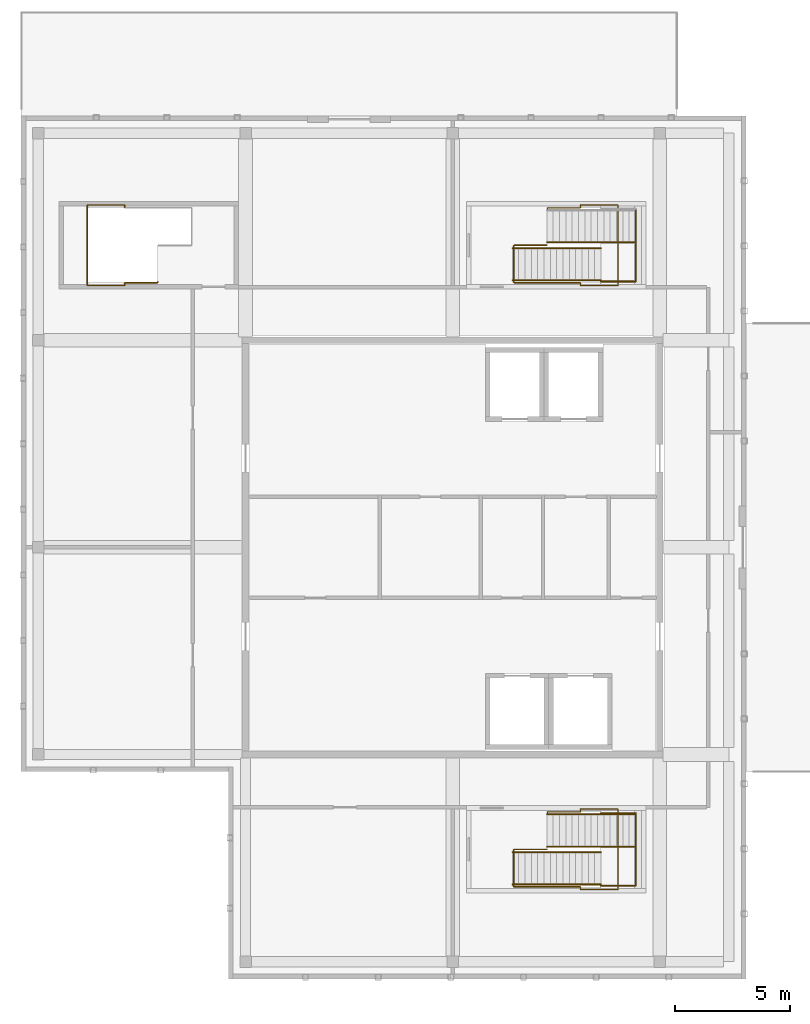
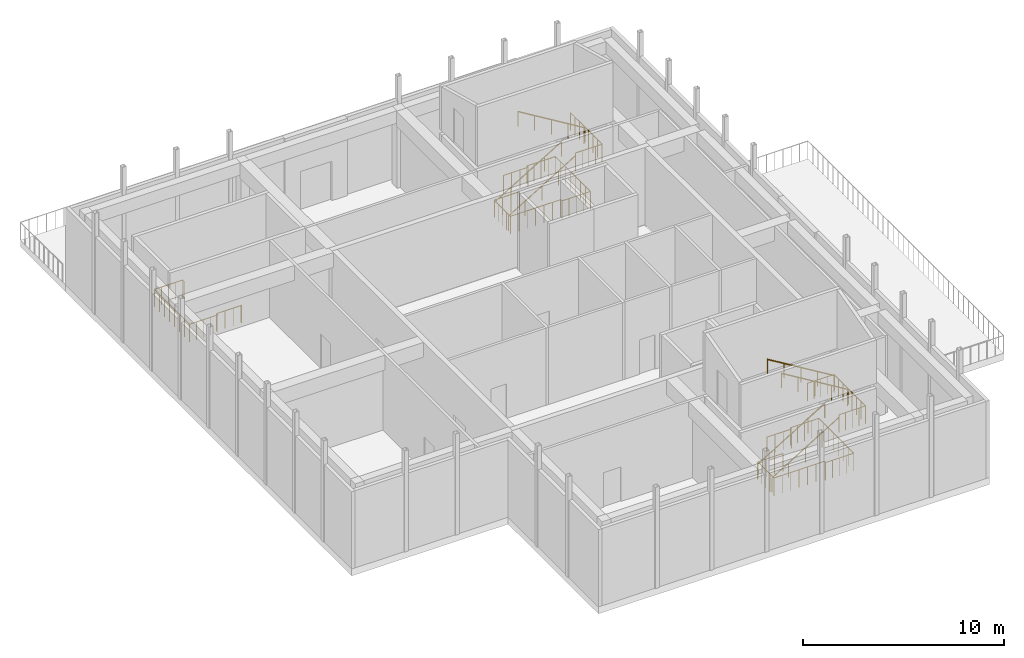
# One storey, part 10 of 11: 17 railings.
"""IFC4 building model written with IfcOpenShell, lengths in metres."""

import ifcopenshell
import ifcopenshell.guid

model = None  # the IFC model being written
_history = None  # IfcOwnerHistory: only IFC2X3 demands one
_inside = {}  # id of a spatial element -> (the spatial element, [elements in it])
_under = {}  # id of a project, library or spatial element -> (it, [spatial elements below it])
_declared = {}  # id of a project -> (the project, [libraries it declares])
_typed = {}  # id of a type object -> (the type object, [elements of that type])
_made_of = {}  # id of a material, layer set ... -> (it, [elements and type objects made of it])


def new_model(schema):
    """Start an empty IFC model of exactly this schema.

    Asked for "IFC4X3", IfcOpenShell would pick the latest addendum, in which some entities
    have other attributes; the version numbers below select the first issue.
    IFC2X3 requires an IfcOwnerHistory on every rooted entity: one is made here for all.
    """
    global model, _history
    if schema == "IFC4X3":
        model = ifcopenshell.file(schema_version=(4, 3, 0, 0))
    else:
        model = ifcopenshell.file(schema=schema)
    _inside.clear()
    _under.clear()
    _declared.clear()
    _typed.clear()
    _made_of.clear()
    _history = None
    if model.schema == "IFC2X3":
        org = make("IfcOrganization", Name="unknown")
        user = make(
            "IfcPersonAndOrganization",
            ThePerson=make("IfcPerson", FamilyName="unknown"),
            TheOrganization=org,
        )
        app = make(
            "IfcApplication",
            ApplicationDeveloper=org,
            Version="unknown",
            ApplicationFullName="unknown",
            ApplicationIdentifier="unknown",
        )
        _history = make(
            "IfcOwnerHistory",
            OwningUser=user,
            OwningApplication=app,
            ChangeAction="ADDED",
            CreationDate=0,
        )
    return model


def make(cls, **values):
    """One entity of the class cls with the attributes given. An attribute that is None is left unset."""
    return model.create_entity(
        cls, **{name: value for name, value in values.items() if value is not None}
    )


def rooted(cls, **values):
    """An entity with a GlobalId (a new one), such as an element, a storey or a relation."""
    return make(cls, GlobalId=ifcopenshell.guid.new(), OwnerHistory=_history, **values)


def si_unit(unit_type, name, prefix=None):
    """IfcSIUnit, for example si_unit("LENGTHUNIT", "METRE", prefix="MILLI")."""
    return make("IfcSIUnit", UnitType=unit_type, Prefix=prefix, Name=name)


def assignment(units):
    """IfcUnitAssignment: the units of a project."""
    return None if units is None else make("IfcUnitAssignment", Units=units)


def point(xyz):
    """IfcCartesianPoint."""
    return None if xyz is None else make("IfcCartesianPoint", Coordinates=xyz)


def direction(xyz):
    """IfcDirection."""
    return None if xyz is None else make("IfcDirection", DirectionRatios=xyz)


def frame(location, z_axis=None, x_axis=None):
    """IfcAxis2Placement3D, a coordinate frame: its origin and axes. An axis left out is left unset."""
    return make(
        "IfcAxis2Placement3D",
        Location=point(location),
        Axis=direction(z_axis),
        RefDirection=direction(x_axis),
    )


def frame_2d(location, x_axis=None):
    """IfcAxis2Placement2D, a coordinate frame in the plane: its origin and x axis."""
    return make(
        "IfcAxis2Placement2D", Location=point(location), RefDirection=direction(x_axis)
    )


def origin():
    """The frame at (0, 0, 0) with its axes left unset."""
    return frame((0.0, 0.0, 0.0))


def origin_2d():
    """The frame at (0, 0) in the plane with its x axis left unset."""
    return frame_2d((0.0, 0.0))


def place(relative_to, where):
    """IfcLocalPlacement: puts the frame where relative to a parent placement (None: the world)."""
    return make(
        "IfcLocalPlacement", PlacementRelTo=relative_to, RelativePlacement=where
    )


def context(
    kind, dimensions, precision=None, world=None, true_north=None, identifier=None
):
    """IfcGeometricRepresentationContext, for example the 3D "Model" context."""
    return make(
        "IfcGeometricRepresentationContext",
        ContextIdentifier=identifier,
        ContextType=kind,
        CoordinateSpaceDimension=dimensions,
        Precision=precision,
        WorldCoordinateSystem=world,
        TrueNorth=true_north,
    )


def subcontext(parent, identifier, kind, view, scale=None):
    """IfcGeometricRepresentationSubContext, for example "Body" below "Model"."""
    return make(
        "IfcGeometricRepresentationSubContext",
        ContextIdentifier=identifier,
        ContextType=kind,
        ParentContext=parent,
        TargetScale=scale,
        TargetView=view,
    )


def project(units=None, contexts=None):
    """IfcProject with its units and contexts."""
    return rooted(
        "IfcProject",
        Name="project",
        RepresentationContexts=contexts,
        UnitsInContext=assignment(units),
    )


def spatial(cls, under=None, at=None, **own):
    """A site, building, storey or space (cls), placed at a placement, below another one or the project."""
    s = rooted(cls, ObjectPlacement=at, **own)
    if under is not None:
        _under.setdefault(under.id(), (under, []))[1].append(s)
    return s


def profile(cls, at=None, kind="AREA", **sizes):
    """A parametric profile (cls). Its sizes go by their IFC names, for example OverallWidth=200.0."""
    return make(cls, ProfileType=kind, Position=at, **sizes)


def circle(**sizes):
    """IfcCircleProfileDef."""
    return profile("IfcCircleProfileDef", **sizes)


def extrude(swept, where, along, depth):
    """IfcExtrudedAreaSolid: the profile swept, set in the frame where, extruded along a direction by depth."""
    return make(
        "IfcExtrudedAreaSolid",
        SweptArea=swept,
        Position=where,
        ExtrudedDirection=direction(along),
        Depth=depth,
    )


def shape(context_of_items, identifier, shape_type, items):
    """IfcShapeRepresentation: the items that make up one representation, for example the "Body"."""
    return make(
        "IfcShapeRepresentation",
        ContextOfItems=context_of_items,
        RepresentationIdentifier=identifier,
        RepresentationType=shape_type,
        Items=items,
    )


def material(Name=None, Category=None):
    """IfcMaterial."""
    return make("IfcMaterial", Name=Name, Category=Category)


def made_of(thing, what):
    """Note that an element or type object is made of a material, layer set ...; save() writes the relation."""
    if what is not None:
        _made_of.setdefault(what.id(), (what, []))[1].append(thing)
    return thing


def type_object(cls, material=None, **own):
    """A type object (cls), such as IfcWallType, which elements share."""
    return made_of(rooted(cls, **own), material)


def element(
    cls,
    number,
    at=None,
    inside=None,
    cuts=None,
    type_object=None,
    material=None,
    context=None,
    identifier="Body",
    shape_type=None,
    held_by="IfcProductDefinitionShape",
    body=None,
    shapes=None,
    **own,
):
    """One element of the class cls, such as IfcWall. Its Tag is "e" and its number.

    at: its placement. inside: the storey or other place that contains it. cuts: it is an
    opening in that element (IfcRelVoidsElement). A single representation is given by context,
    identifier, shape_type and body (its items); several are given by shapes. held_by: the class
    of the entity that holds the representations. save() writes the other relations.
    """
    e = rooted(cls, Tag="e%d" % number, ObjectPlacement=at, **own)
    if body is not None:
        shapes = [shape(context, identifier, shape_type, body)]
    if shapes is not None:
        e.Representation = make(held_by, Representations=shapes)
    if inside is not None:
        _inside.setdefault(inside.id(), (inside, []))[1].append(e)
    if cuts is not None:
        rooted(
            "IfcRelVoidsElement", RelatingBuildingElement=cuts, RelatedOpeningElement=e
        )
    if type_object is not None:
        _typed.setdefault(type_object.id(), (type_object, []))[1].append(e)
    return made_of(e, material)


def aggregate(whole, parts):
    """IfcRelAggregates: a whole, such as a stair, and the parts it consists of."""
    return rooted("IfcRelAggregates", RelatingObject=whole, RelatedObjects=parts)


def save(model, path):
    """Write the relations noted so far, then the file.

    IfcRelAggregates (storeys below a building ...), IfcRelContainedInSpatialStructure (elements
    in a storey), IfcRelDefinesByType, IfcRelAssociatesMaterial and IfcRelDeclares: one each for
    every whole, place, type object, material and project.
    """
    for whole, parts in _under.values():
        aggregate(whole, parts)
    for where, things in _inside.values():
        rooted(
            "IfcRelContainedInSpatialStructure",
            RelatedElements=things,
            RelatingStructure=where,
        )
    for kind, things in _typed.values():
        rooted("IfcRelDefinesByType", RelatedObjects=things, RelatingType=kind)
    for what, things in _made_of.values():
        rooted("IfcRelAssociatesMaterial", RelatedObjects=things, RelatingMaterial=what)
    for by, libraries in _declared.values():
        rooted("IfcRelDeclares", RelatingContext=by, RelatedDefinitions=libraries)
    model.write(path)


model = new_model("IFC4")

# Units and contexts
model_context = context("Model", 3, precision=1e-05, world=origin(), true_north=direction((0.0, 1.0)))
body_context = subcontext(model_context, "Body", "Model", "MODEL_VIEW")
ifc_project = project(units=[si_unit("LENGTHUNIT", "METRE"), si_unit("AREAUNIT", "SQUARE_METRE"), si_unit("VOLUMEUNIT", "CUBIC_METRE"), si_unit("PLANEANGLEUNIT", "RADIAN"), si_unit("MASSUNIT", "GRAM", prefix="KILO")], contexts=[model_context])

# Site, building, storey
site_placement = place(None, origin())
site = spatial("IfcSite", under=ifc_project, at=site_placement, CompositionType="ELEMENT")
building_placement = place(site_placement, origin())
building = spatial("IfcBuilding", under=site, at=building_placement, Name="Tuart Plaza Theatre", CompositionType="ELEMENT")
storey_placement = place(building_placement, frame((0.0, 0.0, 65.5)))
storey = spatial("IfcBuildingStorey", under=building, at=storey_placement, Name="L16", CompositionType="ELEMENT", Elevation=65.5)

# Railings
ifc_material_1 = material(Name="Steel Grade C350L0", Category="steel")
railing_type_1 = type_object("IfcRailingType", Name="RAILING Guard 1100", PredefinedType="GUARDRAIL", material=ifc_material_1)
railing_1_placement = place(storey_placement, frame((134.655029296875, 59.25, 0.0)))
element("IfcRailing", 1, at=railing_1_placement, inside=storey, type_object=railing_type_1, Name="GR274", PredefinedType="GUARDRAIL", context=body_context, shape_type="SweptSolid", body=[
    extrude(circle(Radius=0.02490234375, at=origin_2d()), frame((0.0, 0.0, 1.0751953125), z_axis=(0.0, 1.0, 0.0), x_axis=(-1.0, 0.0, 0.0)), (0.0, 0.0, 1.0), 1.625),
    extrude(circle(Radius=0.02490234375, at=origin_2d()), frame((0.0, 1.625, 1.0751953125), z_axis=(1.0, 0.0, 0.0), x_axis=(0.0, 1.0, 0.0)), (0.0, 0.0, 1.0), 1.455078125),
    extrude(circle(Radius=0.02001953125, at=origin_2d()), origin(), (0.0, 0.0, 1.0), 1.050048828125),
    extrude(circle(Radius=0.02001953125, at=origin_2d()), frame((0.0, 0.40625, 0.0)), (0.0, 0.0, 1.0), 1.050048828125),
    extrude(circle(Radius=0.02001953125, at=origin_2d()), frame((0.0, 0.8125, 0.0)), (0.0, 0.0, 1.0), 1.050048828125),
    extrude(circle(Radius=0.02001953125, at=origin_2d()), frame((0.0, 1.21875, 0.0)), (0.0, 0.0, 1.0), 1.050048828125),
    extrude(circle(Radius=0.02001953125, at=origin_2d()), frame((0.0, 1.625, 0.0)), (0.0, 0.0, 1.0), 1.050048828125),
    extrude(circle(Radius=0.02001953125, at=origin_2d()), frame((0.485107421875, 1.625, 0.0)), (0.0, 0.0, 1.0), 1.050048828125),
    extrude(circle(Radius=0.02001953125, at=origin_2d()), frame((0.969970703125, 1.625, 0.0)), (0.0, 0.0, 1.0), 1.050048828125),
    extrude(circle(Radius=0.02001953125, at=origin_2d()), frame((1.455078125, 1.625, 0.0)), (0.0, 0.0, 1.0), 1.050048828125),
])
railing_2_placement = place(storey_placement, frame((136.114990234375, 62.455078125, 0.0)))
element("IfcRailing", 2, at=railing_2_placement, inside=storey, type_object=railing_type_1, Name="GR275", PredefinedType="GUARDRAIL", context=body_context, shape_type="SweptSolid", body=[
    extrude(circle(Radius=0.02490234375, at=origin_2d()), frame((0.0, 0.0, 1.0751953125), z_axis=(0.0, 1.0, 0.0), x_axis=(-1.0, 0.0, 0.0)), (0.0, 0.0, 1.0), 0.044921875),
    extrude(circle(Radius=0.02490234375, at=origin_2d()), frame((0.0, 0.044921875, 1.0751953125), z_axis=(1.0, 0.0, 0.0), x_axis=(0.0, 1.0, 0.0)), (0.0, 0.0, 1.0), 1.43505859375),
    extrude(circle(Radius=0.02490234375, at=origin_2d()), frame((1.43505859375, 0.044921875, 1.0751953125), z_axis=(0.0, 1.0, 0.0), x_axis=(-1.0, 0.0, 0.0)), (0.0, 0.0, 1.0), 0.123046875),
    extrude(circle(Radius=0.02490234375, at=origin_2d()), frame((1.43505859375, 0.16796875, 1.0751953125), z_axis=(1.0, 0.0, 0.0), x_axis=(0.0, 1.0, 0.0)), (0.0, 0.0, 1.0), 1.6298828125),
    extrude(circle(Radius=0.02490234375, at=origin_2d()), frame((3.06494140625, 0.16796875, 1.0751953125), z_axis=(0.0, -1.0, 0.0), x_axis=(1.0, 0.0, 0.0)), (0.0, 0.0, 1.0), 3.49609375),
    extrude(circle(Radius=0.02490234375, at=origin_2d()), frame((3.06494140625, -3.328125, 1.0751953125), z_axis=(-1.0, 0.0, 0.0), x_axis=(0.0, -1.0, 0.0)), (0.0, 0.0, 1.0), 1.6298828125),
    extrude(circle(Radius=0.02490234375, at=origin_2d()), frame((1.43505859375, -3.328125, 1.0751953125), z_axis=(0.0, 1.0, 0.0), x_axis=(-1.0, 0.0, 0.0)), (0.0, 0.0, 1.0), 0.123046875),
    extrude(circle(Radius=0.02490234375, at=origin_2d()), frame((1.43505859375, -3.205078125, 1.0751953125), z_axis=(-1.0, 0.0, 0.0), x_axis=(0.0, -1.0, 0.0)), (0.0, 0.0, 1.0), 2.89501953125),
    extrude(circle(Radius=0.02001953125, at=origin_2d()), origin(), (0.0, 0.0, 1.0), 1.050048828125),
    extrude(circle(Radius=0.02001953125, at=origin_2d()), frame((0.0, 0.044921875, 0.0)), (0.0, 0.0, 1.0), 1.050048828125),
    extrude(circle(Radius=0.02001953125, at=origin_2d()), frame((0.478271484375, 0.044921875, 0.0)), (0.0, 0.0, 1.0), 1.050048828125),
    extrude(circle(Radius=0.02001953125, at=origin_2d()), frame((0.956787109375, 0.044921875, 0.0)), (0.0, 0.0, 1.0), 1.050048828125),
    extrude(circle(Radius=0.02001953125, at=origin_2d()), frame((1.43505859375, 0.044921875, 0.0)), (0.0, 0.0, 1.0), 1.050048828125),
    extrude(circle(Radius=0.02001953125, at=origin_2d()), frame((1.43505859375, 0.16796875, 0.0)), (0.0, 0.0, 1.0), 1.050048828125),
    extrude(circle(Radius=0.02001953125, at=origin_2d()), frame((1.842529296875, 0.16796875, 0.0)), (0.0, 0.0, 1.0), 1.050048828125),
    extrude(circle(Radius=0.02001953125, at=origin_2d()), frame((2.25, 0.16796875, 0.0)), (0.0, 0.0, 1.0), 1.050048828125),
    extrude(circle(Radius=0.02001953125, at=origin_2d()), frame((2.657470703125, 0.16796875, 0.0)), (0.0, 0.0, 1.0), 1.050048828125),
    extrude(circle(Radius=0.02001953125, at=origin_2d()), frame((3.06494140625, 0.16796875, 0.0)), (0.0, 0.0, 1.0), 1.050048828125),
    extrude(circle(Radius=0.02001953125, at=origin_2d()), frame((3.06494140625, -0.33154296875, 0.0)), (0.0, 0.0, 1.0), 1.050048828125),
    extrude(circle(Radius=0.02001953125, at=origin_2d()), frame((3.06494140625, -0.830810546875, 0.0)), (0.0, 0.0, 1.0), 1.050048828125),
    extrude(circle(Radius=0.02001953125, at=origin_2d()), frame((3.06494140625, -1.330322265625, 0.0)), (0.0, 0.0, 1.0), 1.050048828125),
    extrude(circle(Radius=0.02001953125, at=origin_2d()), frame((3.06494140625, -1.829833984375, 0.0)), (0.0, 0.0, 1.0), 1.050048828125),
    extrude(circle(Radius=0.02001953125, at=origin_2d()), frame((3.06494140625, -2.329345703125, 0.0)), (0.0, 0.0, 1.0), 1.050048828125),
    extrude(circle(Radius=0.02001953125, at=origin_2d()), frame((3.06494140625, -2.82861328125, 0.0)), (0.0, 0.0, 1.0), 1.050048828125),
    extrude(circle(Radius=0.02001953125, at=origin_2d()), frame((3.06494140625, -3.328125, 0.0)), (0.0, 0.0, 1.0), 1.050048828125),
    extrude(circle(Radius=0.02001953125, at=origin_2d()), frame((2.657470703125, -3.328125, 0.0)), (0.0, 0.0, 1.0), 1.050048828125),
    extrude(circle(Radius=0.02001953125, at=origin_2d()), frame((2.25, -3.328125, 0.0)), (0.0, 0.0, 1.0), 1.050048828125),
    extrude(circle(Radius=0.02001953125, at=origin_2d()), frame((1.842529296875, -3.328125, 0.0)), (0.0, 0.0, 1.0), 1.050048828125),
    extrude(circle(Radius=0.02001953125, at=origin_2d()), frame((1.43505859375, -3.328125, 0.0)), (0.0, 0.0, 1.0), 1.050048828125),
    extrude(circle(Radius=0.02001953125, at=origin_2d()), frame((1.43505859375, -3.205078125, 0.0)), (0.0, 0.0, 1.0), 1.050048828125),
    extrude(circle(Radius=0.02001953125, at=origin_2d()), frame((0.95263671875, -3.205078125, 0.0)), (0.0, 0.0, 1.0), 1.050048828125),
    extrude(circle(Radius=0.02001953125, at=origin_2d()), frame((0.469970703125, -3.205078125, 0.0)), (0.0, 0.0, 1.0), 1.050048828125),
    extrude(circle(Radius=0.02001953125, at=origin_2d()), frame((-0.012451171875, -3.205078125, 0.0)), (0.0, 0.0, 1.0), 1.050048828125),
    extrude(circle(Radius=0.02001953125, at=origin_2d()), frame((-0.494873046875, -3.205078125, 0.0)), (0.0, 0.0, 1.0), 1.050048828125),
    extrude(circle(Radius=0.02001953125, at=origin_2d()), frame((-0.9775390625, -3.205078125, 0.0)), (0.0, 0.0, 1.0), 1.050048828125),
    extrude(circle(Radius=0.02001953125, at=origin_2d()), frame((-1.4599609375, -3.205078125, 0.0)), (0.0, 0.0, 1.0), 1.050048828125),
])
railing_3_placement = place(storey_placement, frame((134.655029296875, 85.5, 0.0)))
element("IfcRailing", 3, at=railing_3_placement, inside=storey, type_object=railing_type_1, Name="GR353", PredefinedType="GUARDRAIL", context=body_context, shape_type="SweptSolid", body=[
    extrude(circle(Radius=0.02490234375, at=origin_2d()), frame((0.0, 0.0, 1.0751953125), z_axis=(0.0, 1.0, 0.0), x_axis=(-1.0, 0.0, 0.0)), (0.0, 0.0, 1.0), 1.625),
    extrude(circle(Radius=0.02490234375, at=origin_2d()), frame((0.0, 1.625, 1.0751953125), z_axis=(1.0, 0.0, 0.0), x_axis=(0.0, 1.0, 0.0)), (0.0, 0.0, 1.0), 1.455078125),
    extrude(circle(Radius=0.02001953125, at=origin_2d()), origin(), (0.0, 0.0, 1.0), 1.050048828125),
    extrude(circle(Radius=0.02001953125, at=origin_2d()), frame((0.0, 0.40625, 0.0)), (0.0, 0.0, 1.0), 1.050048828125),
    extrude(circle(Radius=0.02001953125, at=origin_2d()), frame((0.0, 0.8125, 0.0)), (0.0, 0.0, 1.0), 1.050048828125),
    extrude(circle(Radius=0.02001953125, at=origin_2d()), frame((0.0, 1.21875, 0.0)), (0.0, 0.0, 1.0), 1.050048828125),
    extrude(circle(Radius=0.02001953125, at=origin_2d()), frame((0.0, 1.625, 0.0)), (0.0, 0.0, 1.0), 1.050048828125),
    extrude(circle(Radius=0.02001953125, at=origin_2d()), frame((0.485107421875, 1.625, 0.0)), (0.0, 0.0, 1.0), 1.050048828125),
    extrude(circle(Radius=0.02001953125, at=origin_2d()), frame((0.969970703125, 1.625, 0.0)), (0.0, 0.0, 1.0), 1.050048828125),
    extrude(circle(Radius=0.02001953125, at=origin_2d()), frame((1.455078125, 1.625, 0.0)), (0.0, 0.0, 1.0), 1.050048828125),
])
railing_4_placement = place(storey_placement, frame((136.114990234375, 88.705078125, 0.0)))
element("IfcRailing", 4, at=railing_4_placement, inside=storey, type_object=railing_type_1, Name="GR354", PredefinedType="GUARDRAIL", context=body_context, shape_type="SweptSolid", body=[
    extrude(circle(Radius=0.02490234375, at=origin_2d()), frame((0.0, 0.0, 1.0751953125), z_axis=(0.0, 1.0, 0.0), x_axis=(-1.0, 0.0, 0.0)), (0.0, 0.0, 1.0), 0.044921875),
    extrude(circle(Radius=0.02490234375, at=origin_2d()), frame((0.0, 0.044921875, 1.0751953125), z_axis=(1.0, 0.0, 0.0), x_axis=(0.0, 1.0, 0.0)), (0.0, 0.0, 1.0), 1.43505859375),
    extrude(circle(Radius=0.02490234375, at=origin_2d()), frame((1.43505859375, 0.044921875, 1.0751953125), z_axis=(0.0, 1.0, 0.0), x_axis=(-1.0, 0.0, 0.0)), (0.0, 0.0, 1.0), 0.123046875),
    extrude(circle(Radius=0.02490234375, at=origin_2d()), frame((1.43505859375, 0.16796875, 1.0751953125), z_axis=(1.0, 0.0, 0.0), x_axis=(0.0, 1.0, 0.0)), (0.0, 0.0, 1.0), 1.6298828125),
    extrude(circle(Radius=0.02490234375, at=origin_2d()), frame((3.06494140625, 0.16796875, 1.0751953125), z_axis=(0.0, -1.0, 0.0), x_axis=(1.0, 0.0, 0.0)), (0.0, 0.0, 1.0), 3.49609375),
    extrude(circle(Radius=0.02490234375, at=origin_2d()), frame((3.06494140625, -3.328125, 1.0751953125), z_axis=(-1.0, 0.0, 0.0), x_axis=(0.0, -1.0, 0.0)), (0.0, 0.0, 1.0), 1.6298828125),
    extrude(circle(Radius=0.02490234375, at=origin_2d()), frame((1.43505859375, -3.328125, 1.0751953125), z_axis=(0.0, 1.0, 0.0), x_axis=(-1.0, 0.0, 0.0)), (0.0, 0.0, 1.0), 0.123046875),
    extrude(circle(Radius=0.02490234375, at=origin_2d()), frame((1.43505859375, -3.205078125, 1.0751953125), z_axis=(-1.0, 0.0, 0.0), x_axis=(0.0, -1.0, 0.0)), (0.0, 0.0, 1.0), 2.89501953125),
    extrude(circle(Radius=0.02001953125, at=origin_2d()), origin(), (0.0, 0.0, 1.0), 1.050048828125),
    extrude(circle(Radius=0.02001953125, at=origin_2d()), frame((0.0, 0.044921875, 0.0)), (0.0, 0.0, 1.0), 1.050048828125),
    extrude(circle(Radius=0.02001953125, at=origin_2d()), frame((0.478271484375, 0.044921875, 0.0)), (0.0, 0.0, 1.0), 1.050048828125),
    extrude(circle(Radius=0.02001953125, at=origin_2d()), frame((0.956787109375, 0.044921875, 0.0)), (0.0, 0.0, 1.0), 1.050048828125),
    extrude(circle(Radius=0.02001953125, at=origin_2d()), frame((1.43505859375, 0.044921875, 0.0)), (0.0, 0.0, 1.0), 1.050048828125),
    extrude(circle(Radius=0.02001953125, at=origin_2d()), frame((1.43505859375, 0.16796875, 0.0)), (0.0, 0.0, 1.0), 1.050048828125),
    extrude(circle(Radius=0.02001953125, at=origin_2d()), frame((1.842529296875, 0.16796875, 0.0)), (0.0, 0.0, 1.0), 1.050048828125),
    extrude(circle(Radius=0.02001953125, at=origin_2d()), frame((2.25, 0.16796875, 0.0)), (0.0, 0.0, 1.0), 1.050048828125),
    extrude(circle(Radius=0.02001953125, at=origin_2d()), frame((2.657470703125, 0.16796875, 0.0)), (0.0, 0.0, 1.0), 1.050048828125),
    extrude(circle(Radius=0.02001953125, at=origin_2d()), frame((3.06494140625, 0.16796875, 0.0)), (0.0, 0.0, 1.0), 1.050048828125),
    extrude(circle(Radius=0.02001953125, at=origin_2d()), frame((3.06494140625, -0.33154296875, 0.0)), (0.0, 0.0, 1.0), 1.050048828125),
    extrude(circle(Radius=0.02001953125, at=origin_2d()), frame((3.06494140625, -0.830810546875, 0.0)), (0.0, 0.0, 1.0), 1.050048828125),
    extrude(circle(Radius=0.02001953125, at=origin_2d()), frame((3.06494140625, -1.330322265625, 0.0)), (0.0, 0.0, 1.0), 1.050048828125),
    extrude(circle(Radius=0.02001953125, at=origin_2d()), frame((3.06494140625, -1.829833984375, 0.0)), (0.0, 0.0, 1.0), 1.050048828125),
    extrude(circle(Radius=0.02001953125, at=origin_2d()), frame((3.06494140625, -2.329345703125, 0.0)), (0.0, 0.0, 1.0), 1.050048828125),
    extrude(circle(Radius=0.02001953125, at=origin_2d()), frame((3.06494140625, -2.82861328125, 0.0)), (0.0, 0.0, 1.0), 1.050048828125),
    extrude(circle(Radius=0.02001953125, at=origin_2d()), frame((3.06494140625, -3.328125, 0.0)), (0.0, 0.0, 1.0), 1.050048828125),
    extrude(circle(Radius=0.02001953125, at=origin_2d()), frame((2.657470703125, -3.328125, 0.0)), (0.0, 0.0, 1.0), 1.050048828125),
    extrude(circle(Radius=0.02001953125, at=origin_2d()), frame((2.25, -3.328125, 0.0)), (0.0, 0.0, 1.0), 1.050048828125),
    extrude(circle(Radius=0.02001953125, at=origin_2d()), frame((1.842529296875, -3.328125, 0.0)), (0.0, 0.0, 1.0), 1.050048828125),
    extrude(circle(Radius=0.02001953125, at=origin_2d()), frame((1.43505859375, -3.328125, 0.0)), (0.0, 0.0, 1.0), 1.050048828125),
    extrude(circle(Radius=0.02001953125, at=origin_2d()), frame((1.43505859375, -3.205078125, 0.0)), (0.0, 0.0, 1.0), 1.050048828125),
    extrude(circle(Radius=0.02001953125, at=origin_2d()), frame((0.95263671875, -3.205078125, 0.0)), (0.0, 0.0, 1.0), 1.050048828125),
    extrude(circle(Radius=0.02001953125, at=origin_2d()), frame((0.469970703125, -3.205078125, 0.0)), (0.0, 0.0, 1.0), 1.050048828125),
    extrude(circle(Radius=0.02001953125, at=origin_2d()), frame((-0.012451171875, -3.205078125, 0.0)), (0.0, 0.0, 1.0), 1.050048828125),
    extrude(circle(Radius=0.02001953125, at=origin_2d()), frame((-0.494873046875, -3.205078125, 0.0)), (0.0, 0.0, 1.0), 1.050048828125),
    extrude(circle(Radius=0.02001953125, at=origin_2d()), frame((-0.9775390625, -3.205078125, 0.0)), (0.0, 0.0, 1.0), 1.050048828125),
    extrude(circle(Radius=0.02001953125, at=origin_2d()), frame((-1.4599609375, -3.205078125, 0.0)), (0.0, 0.0, 1.0), 1.050048828125),
])
railing_5_placement = place(storey_placement, frame((119.18505859375, 85.544921875, 0.0)))
element("IfcRailing", 5, at=railing_5_placement, inside=storey, type_object=railing_type_1, Name="GR433", PredefinedType="GUARDRAIL", context=body_context, shape_type="SweptSolid", body=[
    extrude(circle(Radius=0.02490234375, at=origin_2d()), frame((0.0, 0.0, 1.0751953125), z_axis=(0.0, -1.0, 0.0), x_axis=(1.0, 0.0, 0.0)), (0.0, 0.0, 1.0), 0.044921875),
    extrude(circle(Radius=0.02490234375, at=origin_2d()), frame((0.0, -0.044921875, 1.0751953125), z_axis=(-1.0, 0.0, 0.0), x_axis=(0.0, -1.0, 0.0)), (0.0, 0.0, 1.0), 1.43505859375),
    extrude(circle(Radius=0.02490234375, at=origin_2d()), frame((-1.43505859375, -0.044921875, 1.0751953125), z_axis=(0.0, -1.0, 0.0), x_axis=(1.0, 0.0, 0.0)), (0.0, 0.0, 1.0), 0.123046875),
    extrude(circle(Radius=0.02490234375, at=origin_2d()), frame((-1.43505859375, -0.16796875, 1.0751953125), z_axis=(-1.0, 0.0, 0.0), x_axis=(0.0, -1.0, 0.0)), (0.0, 0.0, 1.0), 1.6298828125),
    extrude(circle(Radius=0.02490234375, at=origin_2d()), frame((-3.06494140625, -0.16796875, 1.0751953125), z_axis=(0.0, 1.0, 0.0), x_axis=(-1.0, 0.0, 0.0)), (0.0, 0.0, 1.0), 3.49609375),
    extrude(circle(Radius=0.02490234375, at=origin_2d()), frame((-3.06494140625, 3.328125, 1.0751953125), z_axis=(1.0, 0.0, 0.0), x_axis=(0.0, 1.0, 0.0)), (0.0, 0.0, 1.0), 1.6298828125),
    extrude(circle(Radius=0.02490234375, at=origin_2d()), frame((-1.43505859375, 3.328125, 1.0751953125), z_axis=(0.0, -1.0, 0.0), x_axis=(1.0, 0.0, 0.0)), (0.0, 0.0, 1.0), 0.123046875),
    extrude(circle(Radius=0.02001953125, at=origin_2d()), origin(), (0.0, 0.0, 1.0), 1.050048828125),
    extrude(circle(Radius=0.02001953125, at=origin_2d()), frame((0.0, -0.044921875, 0.0)), (0.0, 0.0, 1.0), 1.050048828125),
    extrude(circle(Radius=0.02001953125, at=origin_2d()), frame((-0.478271484375, -0.044921875, 0.0)), (0.0, 0.0, 1.0), 1.050048828125),
    extrude(circle(Radius=0.02001953125, at=origin_2d()), frame((-0.956787109375, -0.044921875, 0.0)), (0.0, 0.0, 1.0), 1.050048828125),
    extrude(circle(Radius=0.02001953125, at=origin_2d()), frame((-1.43505859375, -0.044921875, 0.0)), (0.0, 0.0, 1.0), 1.050048828125),
    extrude(circle(Radius=0.02001953125, at=origin_2d()), frame((-1.43505859375, -0.16796875, 0.0)), (0.0, 0.0, 1.0), 1.050048828125),
    extrude(circle(Radius=0.02001953125, at=origin_2d()), frame((-1.842529296875, -0.16796875, 0.0)), (0.0, 0.0, 1.0), 1.050048828125),
    extrude(circle(Radius=0.02001953125, at=origin_2d()), frame((-2.25, -0.16796875, 0.0)), (0.0, 0.0, 1.0), 1.050048828125),
    extrude(circle(Radius=0.02001953125, at=origin_2d()), frame((-2.657470703125, -0.16796875, 0.0)), (0.0, 0.0, 1.0), 1.050048828125),
    extrude(circle(Radius=0.02001953125, at=origin_2d()), frame((-3.06494140625, -0.16796875, 0.0)), (0.0, 0.0, 1.0), 1.050048828125),
    extrude(circle(Radius=0.02001953125, at=origin_2d()), frame((-3.06494140625, 0.33154296875, 0.0)), (0.0, 0.0, 1.0), 1.050048828125),
    extrude(circle(Radius=0.02001953125, at=origin_2d()), frame((-3.06494140625, 0.830810546875, 0.0)), (0.0, 0.0, 1.0), 1.050048828125),
    extrude(circle(Radius=0.02001953125, at=origin_2d()), frame((-3.06494140625, 1.330322265625, 0.0)), (0.0, 0.0, 1.0), 1.050048828125),
    extrude(circle(Radius=0.02001953125, at=origin_2d()), frame((-3.06494140625, 1.829833984375, 0.0)), (0.0, 0.0, 1.0), 1.050048828125),
    extrude(circle(Radius=0.02001953125, at=origin_2d()), frame((-3.06494140625, 2.329345703125, 0.0)), (0.0, 0.0, 1.0), 1.050048828125),
    extrude(circle(Radius=0.02001953125, at=origin_2d()), frame((-3.06494140625, 2.82861328125, 0.0)), (0.0, 0.0, 1.0), 1.050048828125),
    extrude(circle(Radius=0.02001953125, at=origin_2d()), frame((-3.06494140625, 3.328125, 0.0)), (0.0, 0.0, 1.0), 1.050048828125),
    extrude(circle(Radius=0.02001953125, at=origin_2d()), frame((-2.657470703125, 3.328125, 0.0)), (0.0, 0.0, 1.0), 1.050048828125),
    extrude(circle(Radius=0.02001953125, at=origin_2d()), frame((-2.25, 3.328125, 0.0)), (0.0, 0.0, 1.0), 1.050048828125),
    extrude(circle(Radius=0.02001953125, at=origin_2d()), frame((-1.842529296875, 3.328125, 0.0)), (0.0, 0.0, 1.0), 1.050048828125),
    extrude(circle(Radius=0.02001953125, at=origin_2d()), frame((-1.43505859375, 3.328125, 0.0)), (0.0, 0.0, 1.0), 1.050048828125),
    extrude(circle(Radius=0.02001953125, at=origin_2d()), frame((-1.43505859375, 3.205078125, 0.0)), (0.0, 0.0, 1.0), 1.050048828125),
])
railing_6_placement = place(storey_placement, frame((138.425048828125, 59.300048828125, 2.5)))
element("IfcRailing", 6, at=railing_6_placement, inside=storey, type_object=railing_type_1, Name="GR455", PredefinedType="GUARDRAIL", context=body_context, shape_type="SweptSolid", body=[
    extrude(circle(Radius=0.02490234375, at=origin_2d()), frame((0.0, 0.0, 1.0751953125), z_axis=(1.0, 0.0, 0.0), x_axis=(0.0, 1.0, 0.0)), (0.0, 0.0, 1.0), 1.530029296875),
    extrude(circle(Radius=0.02001953125, at=origin_2d()), origin(), (0.0, 0.0, 1.0), 1.050048828125),
    extrude(circle(Radius=0.02001953125, at=origin_2d()), frame((0.382568359375, 0.0, 0.0)), (0.0, 0.0, 1.0), 1.050048828125),
    extrude(circle(Radius=0.02001953125, at=origin_2d()), frame((0.76513671875, 0.0, 0.0)), (0.0, 0.0, 1.0), 1.050048828125),
    extrude(circle(Radius=0.02001953125, at=origin_2d()), frame((1.1474609375, 0.0, 0.0)), (0.0, 0.0, 1.0), 1.050048828125),
    extrude(circle(Radius=0.02001953125, at=origin_2d()), frame((1.530029296875, 0.0, 0.0)), (0.0, 0.0, 1.0), 1.050048828125),
])
railing_7_placement = place(storey_placement, frame((139.955078125, 59.300048828125, 2.5)))
element("IfcRailing", 7, at=railing_7_placement, inside=storey, type_object=railing_type_1, Name="GR456", PredefinedType="GUARDRAIL", context=body_context, shape_type="SweptSolid", body=[
    extrude(circle(Radius=0.02490234375, at=origin_2d()), frame((0.0, 0.0, 1.0751953125), z_axis=(0.0, 1.0, 0.0), x_axis=(-1.0, 0.0, 0.0)), (0.0, 0.0, 1.0), 3.14990234375),
    extrude(circle(Radius=0.02001953125, at=origin_2d()), origin(), (0.0, 0.0, 1.0), 1.050048828125),
    extrude(circle(Radius=0.02001953125, at=origin_2d()), frame((0.0, 0.449951171875, 0.0)), (0.0, 0.0, 1.0), 1.050048828125),
    extrude(circle(Radius=0.02001953125, at=origin_2d()), frame((0.0, 0.89990234375, 0.0)), (0.0, 0.0, 1.0), 1.050048828125),
    extrude(circle(Radius=0.02001953125, at=origin_2d()), frame((0.0, 1.349853515625, 0.0)), (0.0, 0.0, 1.0), 1.050048828125),
    extrude(circle(Radius=0.02001953125, at=origin_2d()), frame((0.0, 1.800048828125, 0.0)), (0.0, 0.0, 1.0), 1.050048828125),
    extrude(circle(Radius=0.02001953125, at=origin_2d()), frame((0.0, 2.25, 0.0)), (0.0, 0.0, 1.0), 1.050048828125),
    extrude(circle(Radius=0.02001953125, at=origin_2d()), frame((0.0, 2.699951171875, 0.0)), (0.0, 0.0, 1.0), 1.050048828125),
    extrude(circle(Radius=0.02001953125, at=origin_2d()), frame((0.0, 3.14990234375, 0.0)), (0.0, 0.0, 1.0), 1.050048828125),
])
railing_8_placement = place(storey_placement, frame((139.955078125, 62.449951171875, 2.5)))
element("IfcRailing", 8, at=railing_8_placement, inside=storey, type_object=railing_type_1, Name="GR457", PredefinedType="GUARDRAIL", context=body_context, shape_type="SweptSolid", body=[
    extrude(circle(Radius=0.02490234375, at=origin_2d()), frame((0.0, 0.0, 1.0751953125), z_axis=(-1.0, 0.0, 0.0), x_axis=(0.0, -1.0, 0.0)), (0.0, 0.0, 1.0), 1.530029296875),
    extrude(circle(Radius=0.02001953125, at=origin_2d()), origin(), (0.0, 0.0, 1.0), 1.050048828125),
    extrude(circle(Radius=0.02001953125, at=origin_2d()), frame((-0.382568359375, 0.0, 0.0)), (0.0, 0.0, 1.0), 1.050048828125),
    extrude(circle(Radius=0.02001953125, at=origin_2d()), frame((-0.76513671875, 0.0, 0.0)), (0.0, 0.0, 1.0), 1.050048828125),
    extrude(circle(Radius=0.02001953125, at=origin_2d()), frame((-1.1474609375, 0.0, 0.0)), (0.0, 0.0, 1.0), 1.050048828125),
    extrude(circle(Radius=0.02001953125, at=origin_2d()), frame((-1.530029296875, 0.0, 0.0)), (0.0, 0.0, 1.0), 1.050048828125),
])
railing_9_placement = place(storey_placement, frame((138.425048828125, 85.550048828125, 2.5)))
element("IfcRailing", 9, at=railing_9_placement, inside=storey, type_object=railing_type_1, Name="GR460", PredefinedType="GUARDRAIL", context=body_context, shape_type="SweptSolid", body=[
    extrude(circle(Radius=0.02490234375, at=origin_2d()), frame((0.0, 0.0, 1.0751953125), z_axis=(1.0, 0.0, 0.0), x_axis=(0.0, 1.0, 0.0)), (0.0, 0.0, 1.0), 1.530029296875),
    extrude(circle(Radius=0.02001953125, at=origin_2d()), origin(), (0.0, 0.0, 1.0), 1.050048828125),
    extrude(circle(Radius=0.02001953125, at=origin_2d()), frame((0.382568359375, 0.0, 0.0)), (0.0, 0.0, 1.0), 1.050048828125),
    extrude(circle(Radius=0.02001953125, at=origin_2d()), frame((0.76513671875, 0.0, 0.0)), (0.0, 0.0, 1.0), 1.050048828125),
    extrude(circle(Radius=0.02001953125, at=origin_2d()), frame((1.1474609375, 0.0, 0.0)), (0.0, 0.0, 1.0), 1.050048828125),
    extrude(circle(Radius=0.02001953125, at=origin_2d()), frame((1.530029296875, 0.0, 0.0)), (0.0, 0.0, 1.0), 1.050048828125),
])
railing_10_placement = place(storey_placement, frame((139.955078125, 85.550048828125, 2.5)))
element("IfcRailing", 10, at=railing_10_placement, inside=storey, type_object=railing_type_1, Name="GR461", PredefinedType="GUARDRAIL", context=body_context, shape_type="SweptSolid", body=[
    extrude(circle(Radius=0.02490234375, at=origin_2d()), frame((0.0, 0.0, 1.0751953125), z_axis=(0.0, 1.0, 0.0), x_axis=(-1.0, 0.0, 0.0)), (0.0, 0.0, 1.0), 3.14990234375),
    extrude(circle(Radius=0.02001953125, at=origin_2d()), origin(), (0.0, 0.0, 1.0), 1.050048828125),
    extrude(circle(Radius=0.02001953125, at=origin_2d()), frame((0.0, 0.449951171875, 0.0)), (0.0, 0.0, 1.0), 1.050048828125),
    extrude(circle(Radius=0.02001953125, at=origin_2d()), frame((0.0, 0.89990234375, 0.0)), (0.0, 0.0, 1.0), 1.050048828125),
    extrude(circle(Radius=0.02001953125, at=origin_2d()), frame((0.0, 1.349853515625, 0.0)), (0.0, 0.0, 1.0), 1.050048828125),
    extrude(circle(Radius=0.02001953125, at=origin_2d()), frame((0.0, 1.800048828125, 0.0)), (0.0, 0.0, 1.0), 1.050048828125),
    extrude(circle(Radius=0.02001953125, at=origin_2d()), frame((0.0, 2.25, 0.0)), (0.0, 0.0, 1.0), 1.050048828125),
    extrude(circle(Radius=0.02001953125, at=origin_2d()), frame((0.0, 2.699951171875, 0.0)), (0.0, 0.0, 1.0), 1.050048828125),
    extrude(circle(Radius=0.02001953125, at=origin_2d()), frame((0.0, 3.14990234375, 0.0)), (0.0, 0.0, 1.0), 1.050048828125),
])
ifc_material_2 = material(Name="Steel Grade C350L0", Category="steel")
railing_type_2 = type_object("IfcRailingType", Name="RAILING Handrail 900", PredefinedType="HANDRAIL", material=ifc_material_2)
for number, where, name in (
    (11, (134.594970703125, 60.75, 0.166748046875), "HR323"),
    (12, (134.594970703125, 59.35009765625, 0.166748046875), "HR324"),
):
    element("IfcRailing", number, at=place(storey_placement, frame(where)), inside=storey, type_object=railing_type_2, Name=name, PredefinedType="HANDRAIL", context=body_context, shape_type="SweptSolid", body=[
        extrude(circle(Radius=0.0224609375, at=origin_2d()), frame((0.0, 0.0, 0.87744140625), z_axis=(0.855211671081, 0.0, 0.518278880185), x_axis=(0.0, 1.0, 0.0)), (0.0, 0.0, 1.0), 4.501953125),
        extrude(circle(Radius=0.01513671875, at=origin_2d()), origin(), (0.0, 0.0, 1.0), 0.85498046875),
        extrude(circle(Radius=0.01513671875, at=origin_2d()), frame((0.96240234375, 0.0, 0.583251953125)), (0.0, 0.0, 1.0), 0.85498046875),
        extrude(circle(Radius=0.01513671875, at=origin_2d()), frame((1.925048828125, 0.0, 1.16650390625)), (0.0, 0.0, 1.0), 0.85498046875),
        extrude(circle(Radius=0.01513671875, at=origin_2d()), frame((2.8876953125, 0.0, 1.75)), (0.0, 0.0, 1.0), 0.85498046875),
        extrude(circle(Radius=0.01513671875, at=origin_2d()), frame((3.85009765625, 0.0, 2.333251953125)), (0.0, 0.0, 1.0), 0.85498046875),
    ])
for number, where, name in (
    (13, (139.945068359375, 61.0, 2.666748046875), "HR325"),
    (14, (139.945068359375, 62.39990234375, 2.666748046875), "HR326"),
):
    element("IfcRailing", number, at=place(storey_placement, frame(where)), inside=storey, type_object=railing_type_2, Name=name, PredefinedType="HANDRAIL", context=body_context, shape_type="SweptSolid", body=[
        extrude(circle(Radius=0.0224609375, at=origin_2d()), frame((0.0, 0.0, 0.87744140625), z_axis=(-0.855211671081, 0.0, 0.518278880185), x_axis=(0.0, -1.0, 0.0)), (0.0, 0.0, 1.0), 4.501953125),
        extrude(circle(Radius=0.01513671875, at=origin_2d()), origin(), (0.0, 0.0, 1.0), 0.85498046875),
        extrude(circle(Radius=0.01513671875, at=origin_2d()), frame((-0.96240234375, 0.0, 0.583251953125)), (0.0, 0.0, 1.0), 0.85498046875),
        extrude(circle(Radius=0.01513671875, at=origin_2d()), frame((-1.925048828125, 0.0, 1.16650390625)), (0.0, 0.0, 1.0), 0.85498046875),
        extrude(circle(Radius=0.01513671875, at=origin_2d()), frame((-2.8876953125, 0.0, 1.75)), (0.0, 0.0, 1.0), 0.85498046875),
        extrude(circle(Radius=0.01513671875, at=origin_2d()), frame((-3.85009765625, 0.0, 2.333251953125)), (0.0, 0.0, 1.0), 0.85498046875),
    ])
for number, where, name in (
    (15, (134.594970703125, 87.0, 0.166748046875), "HR327"),
    (16, (134.594970703125, 85.60009765625, 0.166748046875), "HR328"),
):
    element("IfcRailing", number, at=place(storey_placement, frame(where)), inside=storey, type_object=railing_type_2, Name=name, PredefinedType="HANDRAIL", context=body_context, shape_type="SweptSolid", body=[
        extrude(circle(Radius=0.0224609375, at=origin_2d()), frame((0.0, 0.0, 0.87744140625), z_axis=(0.855211671081, 0.0, 0.518278880185), x_axis=(0.0, 1.0, 0.0)), (0.0, 0.0, 1.0), 4.501953125),
        extrude(circle(Radius=0.01513671875, at=origin_2d()), origin(), (0.0, 0.0, 1.0), 0.85498046875),
        extrude(circle(Radius=0.01513671875, at=origin_2d()), frame((0.96240234375, 0.0, 0.583251953125)), (0.0, 0.0, 1.0), 0.85498046875),
        extrude(circle(Radius=0.01513671875, at=origin_2d()), frame((1.925048828125, 0.0, 1.16650390625)), (0.0, 0.0, 1.0), 0.85498046875),
        extrude(circle(Radius=0.01513671875, at=origin_2d()), frame((2.8876953125, 0.0, 1.75)), (0.0, 0.0, 1.0), 0.85498046875),
        extrude(circle(Radius=0.01513671875, at=origin_2d()), frame((3.85009765625, 0.0, 2.333251953125)), (0.0, 0.0, 1.0), 0.85498046875),
    ])
railing_11_placement = place(storey_placement, frame((139.945068359375, 87.25, 2.666748046875)))
element("IfcRailing", 17, at=railing_11_placement, inside=storey, type_object=railing_type_2, Name="HR329", PredefinedType="HANDRAIL", context=body_context, shape_type="SweptSolid", body=[
    extrude(circle(Radius=0.0224609375, at=origin_2d()), frame((0.0, 0.0, 0.87744140625), z_axis=(-0.855211671081, 0.0, 0.518278880185), x_axis=(0.0, -1.0, 0.0)), (0.0, 0.0, 1.0), 4.501953125),
    extrude(circle(Radius=0.01513671875, at=origin_2d()), origin(), (0.0, 0.0, 1.0), 0.85498046875),
    extrude(circle(Radius=0.01513671875, at=origin_2d()), frame((-0.96240234375, 0.0, 0.583251953125)), (0.0, 0.0, 1.0), 0.85498046875),
    extrude(circle(Radius=0.01513671875, at=origin_2d()), frame((-1.925048828125, 0.0, 1.16650390625)), (0.0, 0.0, 1.0), 0.85498046875),
    extrude(circle(Radius=0.01513671875, at=origin_2d()), frame((-2.8876953125, 0.0, 1.75)), (0.0, 0.0, 1.0), 0.85498046875),
    extrude(circle(Radius=0.01513671875, at=origin_2d()), frame((-3.85009765625, 0.0, 2.333251953125)), (0.0, 0.0, 1.0), 0.85498046875),
])

save(model, "model.ifc")
